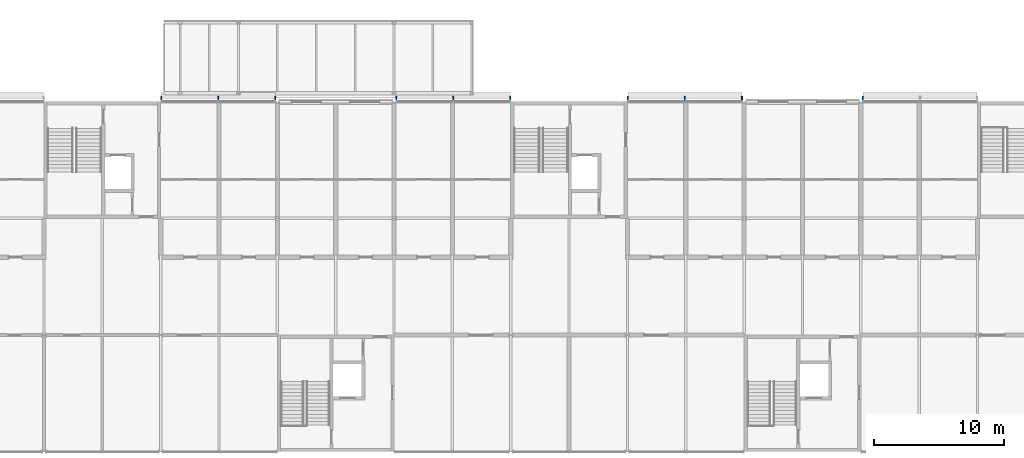
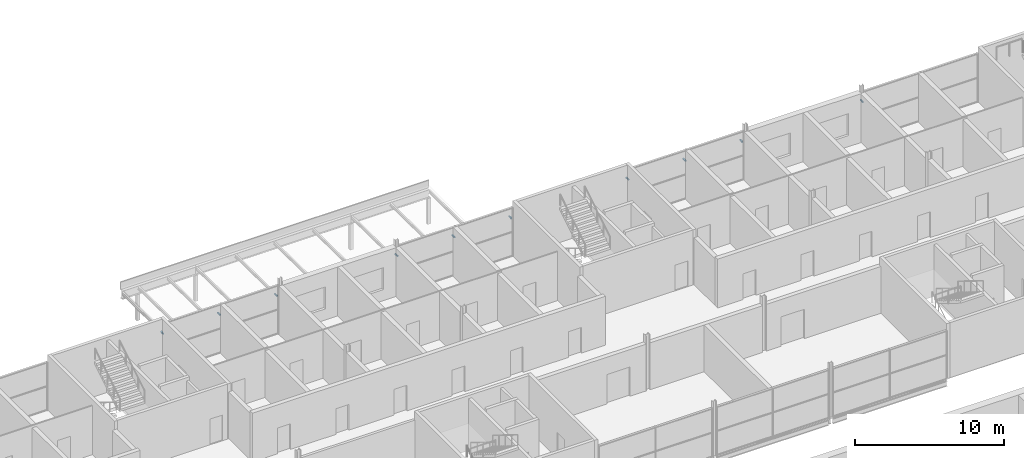
# One storey, part 91 of 97: 10 discrete accessories.
"""IFC4 building model written with IfcOpenShell, lengths in metres."""

from ifc_helpers import new_model, si_unit, direction, frame, origin, origin_2d, place, context, subcontext, project, spatial, rectangle, extrude, material, type_object, element, save


model = new_model("IFC4")

# Units and contexts
model_context = context("Model", 3, precision=1e-05, world=origin(), true_north=direction((0.0, 1.0)))
body_context = subcontext(model_context, "Body", "Model", "MODEL_VIEW")
ifc_project = project(units=[si_unit("LENGTHUNIT", "METRE"), si_unit("AREAUNIT", "SQUARE_METRE"), si_unit("VOLUMEUNIT", "CUBIC_METRE"), si_unit("PLANEANGLEUNIT", "RADIAN"), si_unit("MASSUNIT", "GRAM", prefix="KILO")], contexts=[model_context])

# Site, building, storey
site_placement = place(None, origin())
site = spatial("IfcSite", under=ifc_project, at=site_placement, CompositionType="ELEMENT")
building_placement = place(site_placement, origin())
building = spatial("IfcBuilding", under=site, at=building_placement, Name="Corbel Yard City Hall", CompositionType="ELEMENT")
storey_placement = place(building_placement, frame((0.0, 0.0, 6.0)))
storey = spatial("IfcBuildingStorey", under=building, at=storey_placement, Name="L01", CompositionType="ELEMENT", Elevation=6.0)

# Discrete accessories
ifc_material = material(Name="Steel Grade 300 (300 MPa yield)", Category="steel")
discrete_accessory_type = type_object("IfcDiscreteAccessoryType", Name="BK2", PredefinedType="BRACKET", material=ifc_material)
for number, where, z_axis, x_axis, name in (
    (1, (72.032470703125, 117.25, 2.953125), (0.0, 0.0, 1.0), (1.0, 0.0, 0.0), "Louvre bracket"),
    (2, (76.43505859375, 117.25, 2.953125), (0.0, 0.0, 1.0), (1.0, 0.0, 0.0), "Louvre bracket"),
    (3, (80.83740234375, 117.25, 2.953125), (0.0, 0.0, 1.0), (1.0, 0.0, 0.0), "Louvre bracket"),
    (4, (90.16259765625, 117.25, 2.953125), (0.0, 0.0, 1.0), (1.0, 0.0, 0.0), "Louvre bracket"),
    (5, (94.56494140625, 117.25, 2.953125), (0.0, 0.0, 1.0), (1.0, 0.0, 0.0), "Louvre bracket"),
    (6, (98.967529296875, 117.25, 2.953125), (0.0, 0.0, 1.0), (1.0, 0.0, 0.0), "Louvre bracket"),
    (7, (108.032470703125, 117.25, 2.953125), (0.0, 0.0, 1.0), (1.0, 0.0, 0.0), "Louvre bracket"),
    (8, (112.43505859375, 117.25, 2.953125), (0.0, 0.0, 1.0), (1.0, 0.0, 0.0), "Louvre bracket"),
    (9, (116.83740234375, 117.25, 2.953125), (0.0, 0.0, 1.0), (1.0, 0.0, 0.0), "Louvre bracket"),
    (10, (126.16259765625, 117.25, 2.953125), (0.0, 0.0, 1.0), (1.0, 0.0, 0.0), "Louvre bracket"),
):
    element("IfcDiscreteAccessory", number, at=place(storey_placement, frame(where, z_axis=z_axis, x_axis=x_axis)), inside=storey, type_object=discrete_accessory_type, Name=name, PredefinedType="BRACKET", context=body_context, shape_type="SweptSolid", body=[
        extrude(rectangle(XDim=0.080078125, YDim=0.300048828125, at=origin_2d()), origin(), (0.0, 0.0, 1.0), 0.080078125),
    ])

save(model, "model.ifc")
